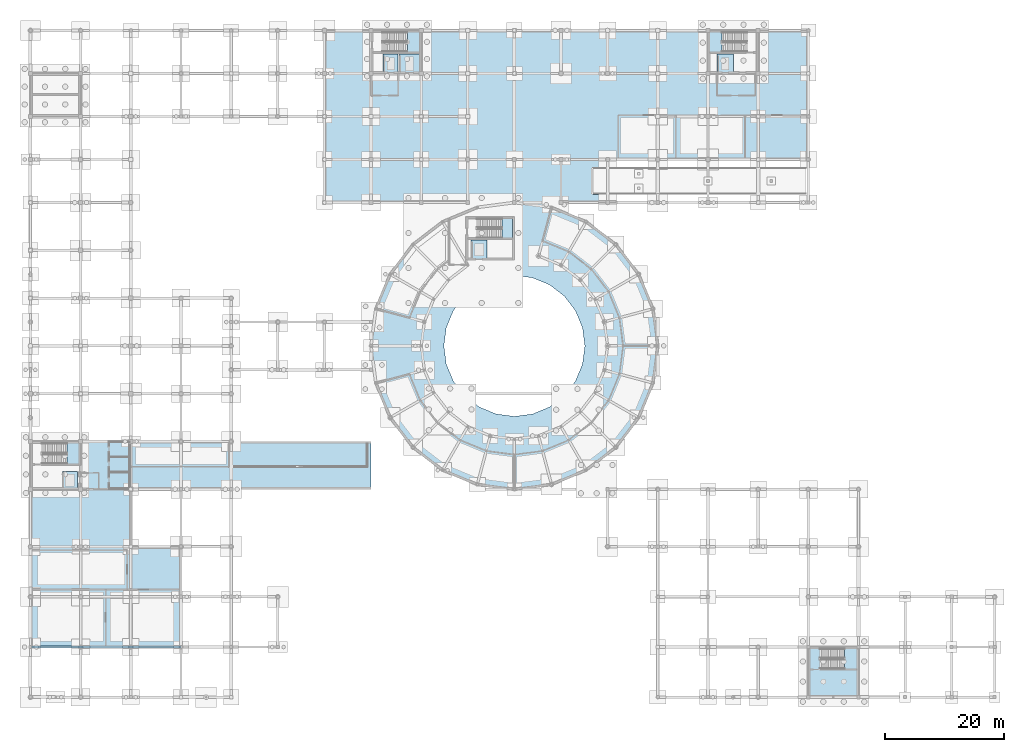
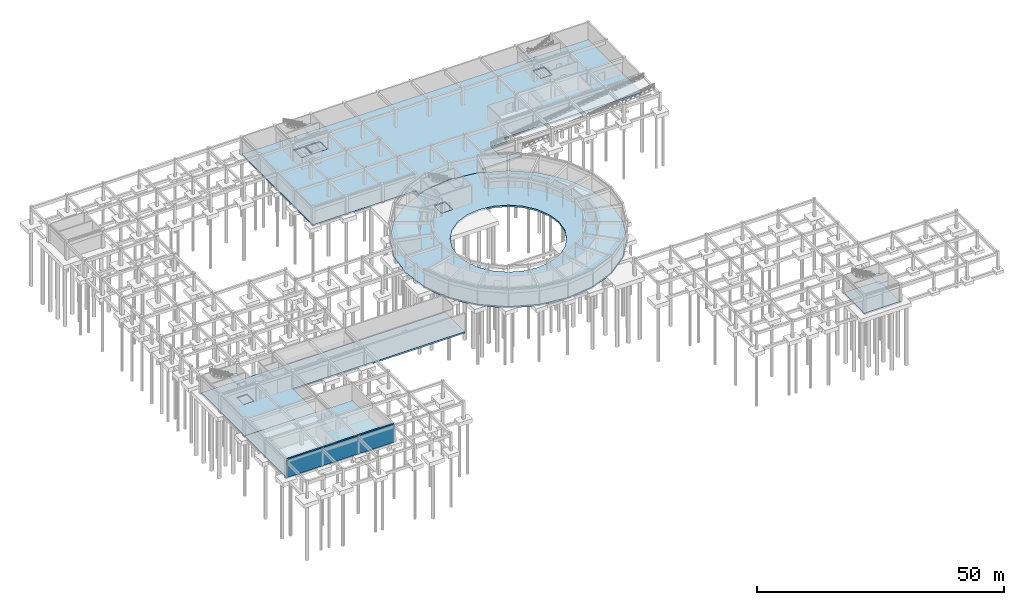
# One storey, part 28 of 43: 15 slabs, 1 wall, 5 elements without a shape of their own.
"""IFC4 building model written with IfcOpenShell, lengths in metres."""

from ifc_helpers import new_model, si_unit, derived_unit, direction, frame, frame_2d, origin, place, context, subcontext, project, spatial, polyline, rectangle, outline, extrude, material, layer, layer_set, type_object, element, aggregate, save


model = new_model("IFC4")

# Units and contexts
model_context = context("Model", 3, precision=1e-05, world=origin(), true_north=direction((0.0, 1.0)))
body_context = subcontext(model_context, "Body", "Model", "MODEL_VIEW")
ifc_project = project(units=[si_unit("LENGTHUNIT", "METRE"), si_unit("AREAUNIT", "SQUARE_METRE"), si_unit("VOLUMEUNIT", "CUBIC_METRE"), si_unit("PLANEANGLEUNIT", "RADIAN"), si_unit("MASSUNIT", "GRAM", prefix="KILO"), derived_unit("THERMALTRANSMITTANCEUNIT", [(si_unit("POWERUNIT", "WATT"), 1), (si_unit("AREAUNIT", "SQUARE_METRE"), -1), (si_unit("THERMODYNAMICTEMPERATUREUNIT", "KELVIN"), -1)])], contexts=[model_context])

# Site, building, storey
site_placement = place(None, origin())
site = spatial("IfcSite", under=ifc_project, at=site_placement, CompositionType="ELEMENT")
building_placement = place(site_placement, origin())
building = spatial("IfcBuilding", under=site, at=building_placement, Name="Yasenodar Specialist Clinic", CompositionType="ELEMENT")
storey_placement = place(building_placement, frame((0.0, 0.0, -4.5)))
storey = spatial("IfcBuildingStorey", under=building, at=storey_placement, Name="B1", CompositionType="ELEMENT", Elevation=-4.5)

# Slabs
ifc_material_1 = material(Name="Concrete C30/37", Category="concrete")
ifc_layer_1 = layer(ifc_material_1, 0.300048828125)
ifc_layer_set_1 = layer_set([ifc_layer_1], Name="Concrete C30/37")
slab_type_1 = type_object("IfcSlabType", Name="SLB-BASE-300", PredefinedType="BASESLAB", material=ifc_layer_set_1)
slab_1_placement = place(storey_placement, frame((0.0, 0.0, -0.47998046875)))
element("IfcSlab", 1, at=slab_1_placement, inside=storey, type_object=slab_type_1, Name="LF-01 Lift Pit Base Slab", PredefinedType="BASESLAB", context=body_context, shape_type="SweptSolid", body=[
    extrude(outline(polyline([(5.35009765625, 34.89990234375), (7.85009765625, 34.89990234375), (7.85009765625, 37.800048828125), (5.35009765625, 37.800048828125), (5.35009765625, 34.89990234375)])), origin(), (0.0, 0.0, 1.0), 0.260009765625),
])
slab_2_placement = place(storey_placement, frame((0.0, 0.0, -0.47998046875)))
element("IfcSlab", 2, at=slab_2_placement, inside=storey, type_object=slab_type_1, Name="LF-06 Lift Pit Base Slab", PredefinedType="BASESLAB", context=body_context, shape_type="SweptSolid", body=[
    extrude(outline(polyline([(73.75, 73.300048828125), (76.449951171875, 73.300048828125), (76.449951171875, 76.5), (73.75, 76.5), (73.75, 73.300048828125)])), origin(), (0.0, 0.0, 1.0), 0.260009765625),
])
slab_3_placement = place(storey_placement, frame((0.0, 0.0, -0.47998046875)))
element("IfcSlab", 3, at=slab_3_placement, inside=storey, type_object=slab_type_1, Name="LF-02 Lift Pit Base Slab", PredefinedType="BASESLAB", context=body_context, shape_type="SweptSolid", body=[
    extrude(outline(polyline([(59.050048828125, 104.449951171875), (61.550048828125, 104.449951171875), (61.550048828125, 107.64990234375), (59.050048828125, 107.64990234375), (59.050048828125, 104.449951171875)])), origin(), (0.0, 0.0, 1.0), 0.260009765625),
])
slab_4_placement = place(storey_placement, frame((0.0, 0.0, -0.47998046875)))
element("IfcSlab", 4, at=slab_4_placement, inside=storey, type_object=slab_type_1, Name="LF-04 Lift Pit Base Slab", PredefinedType="BASESLAB", context=body_context, shape_type="SweptSolid", body=[
    extrude(outline(polyline([(61.75, 104.449951171875), (65.14990234375, 104.449951171875), (65.14990234375, 107.64990234375), (61.75, 107.64990234375), (61.75, 104.449951171875)])), origin(), (0.0, 0.0, 1.0), 0.260009765625),
])
slab_5_placement = place(storey_placement, frame((0.0, 0.0, -0.47998046875)))
element("IfcSlab", 5, at=slab_5_placement, inside=storey, type_object=slab_type_1, Name="LF-08 Lift Pit Base Slab", PredefinedType="BASESLAB", context=body_context, shape_type="SweptSolid", body=[
    extrude(outline(polyline([(114.949951171875, 104.449951171875), (117.64990234375, 104.449951171875), (117.64990234375, 107.64990234375), (114.949951171875, 107.64990234375), (114.949951171875, 104.449951171875)])), origin(), (0.0, 0.0, 1.0), 0.260009765625),
])
ifc_layer_2 = layer(ifc_material_1, 0.39990234375)
ifc_layer_set_2 = layer_set([ifc_layer_2], Name="Concrete C30/37")
slab_type_2 = type_object("IfcSlabType", Name="SLB-BASE-400", PredefinedType="BASESLAB", material=ifc_layer_set_2)
slab_6_placement = place(storey_placement, frame((0.0, 0.0, -0.39990234375)))
element("IfcSlab", 6, at=slab_6_placement, inside=storey, type_object=slab_type_2, Name="B1 V1 structural slab", PredefinedType="BASESLAB", context=body_context, shape_type="SweptSolid", body=[
    extrude(outline(polyline([(105.0, 58.800048828125), (104.18212890625, 65.01171875), (101.78466796875, 70.800048828125), (97.970703125, 75.7705078125), (93.0, 79.584716796875), (87.211669921875, 81.982177734375), (81.0, 82.800048828125), (74.788330078125, 81.982177734375), (69.0, 79.584716796875), (64.029296875, 75.7705078125), (60.21533203125, 70.800048828125), (57.81787109375, 65.01171875), (57.0, 58.800048828125), (57.81787109375, 52.58837890625), (60.21533203125, 46.800048828125), (64.029296875, 41.829345703125), (69.0, 38.015380859375), (74.788330078125, 35.617919921875), (81.0, 34.800048828125), (87.211669921875, 35.617919921875), (93.0, 38.015380859375), (97.970703125, 41.829345703125), (101.78466796875, 46.800048828125), (104.18212890625, 52.58837890625), (105.0, 58.800048828125)]), holes=[polyline([(73.739990234375, 73.2900390625), (76.4599609375, 73.2900390625), (76.4599609375, 76.510009765625), (73.739990234375, 76.510009765625), (73.739990234375, 73.2900390625)]), polyline([(92.800048828125, 58.800048828125), (92.39794921875, 61.85400390625), (91.218994140625, 64.699951171875), (89.343994140625, 67.143798828125), (86.89990234375, 69.01904296875), (84.05419921875, 70.197998046875), (81.0, 70.60009765625), (77.94580078125, 70.197998046875), (75.10009765625, 69.01904296875), (72.656005859375, 67.143798828125), (70.781005859375, 64.699951171875), (69.60205078125, 61.85400390625), (69.199951171875, 58.800048828125), (69.60205078125, 55.745849609375), (70.781005859375, 52.89990234375), (72.656005859375, 50.4560546875), (75.10009765625, 48.580810546875), (77.94580078125, 47.402099609375), (81.0, 47.0), (84.05419921875, 47.402099609375), (86.89990234375, 48.580810546875), (89.343994140625, 50.4560546875), (91.218994140625, 52.89990234375), (92.39794921875, 55.745849609375), (92.800048828125, 58.800048828125)])]), origin(), (0.0, 0.0, 1.0), 0.39990234375),
])
slab_7_placement = place(storey_placement, frame((0.0, 0.0, -0.39990234375)))
element("IfcSlab", 7, at=slab_7_placement, inside=storey, type_object=slab_type_2, Name="B1 V2 structural slab", PredefinedType="BASESLAB", context=body_context, shape_type="SweptSolid", body=[
    extrude(outline(polyline([(0.0, 25.199951171875), (25.199951171875, 25.199951171875), (25.199951171875, 8.39990234375), (0.0, 8.39990234375), (0.0, 25.199951171875)])), origin(), (0.0, 0.0, 1.0), 0.39990234375),
])
slab_8_placement = place(storey_placement, frame((0.0, 0.0, -0.39990234375)))
element("IfcSlab", 8, at=slab_8_placement, inside=storey, type_object=slab_type_2, Name="B1 V3 structural slab", PredefinedType="BASESLAB", context=body_context, shape_type="SweptSolid", body=[
    extrude(outline(polyline([(130.199951171875, 8.39990234375), (138.60009765625, 8.39990234375), (138.60009765625, 0.0), (130.199951171875, 0.0), (130.199951171875, 8.39990234375)])), origin(), (0.0, 0.0, 1.0), 0.39990234375),
])
slab_9_placement = place(storey_placement, frame((0.0, 0.0, -0.39990234375)))
element("IfcSlab", 9, at=slab_9_placement, inside=storey, type_object=slab_type_2, Name="B1 V4 structural slab", PredefinedType="BASESLAB", context=body_context, shape_type="SweptSolid", body=[
    extrude(outline(polyline([(0.0, 42.800048828125), (57.0, 42.800048828125), (57.0, 34.800048828125), (16.800048828125, 34.800048828125), (16.800048828125, 25.215087890625), (0.0, 25.215087890625), (0.0, 42.800048828125)]), holes=[polyline([(7.860107421875, 34.889892578125), (7.860107421875, 37.81005859375), (5.340087890625, 37.81005859375), (5.340087890625, 34.889892578125), (7.860107421875, 34.889892578125)])]), origin(), (0.0, 0.0, 1.0), 0.39990234375),
])
slab_10_placement = place(storey_placement, frame((0.0, 0.0, -0.39990234375)))
element("IfcSlab", 10, at=slab_10_placement, inside=storey, type_object=slab_type_2, Name="B1 V5 structural slab", PredefinedType="BASESLAB", context=body_context, shape_type="SweptSolid", body=[
    extrude(outline(polyline([(73.199951171875, 82.800048828125), (49.199951171875, 82.800048828125), (49.199951171875, 111.60009765625), (130.199951171875, 111.60009765625), (130.199951171875, 90.0), (98.0, 90.0), (98.0, 88.6201171875), (94.179931640625, 88.6201171875), (94.179931640625, 84.179931640625), (98.0, 84.179931640625), (98.0, 82.800048828125), (88.800048828125, 82.800048828125), (88.800048828125, 81.340576171875), (87.215576171875, 81.996826171875), (81.0, 82.815185546875), (74.784423828125, 81.996826171875), (73.199951171875, 81.340576171875), (73.199951171875, 82.800048828125)]), holes=[polyline([(61.56005859375, 104.43994140625), (61.56005859375, 107.659912109375), (59.0400390625, 107.659912109375), (59.0400390625, 104.43994140625), (61.56005859375, 104.43994140625)]), polyline([(65.159912109375, 104.43994140625), (65.159912109375, 107.659912109375), (61.739990234375, 107.659912109375), (61.739990234375, 104.43994140625), (65.159912109375, 104.43994140625)]), polyline([(117.659912109375, 104.43994140625), (117.659912109375, 107.659912109375), (114.93994140625, 107.659912109375), (114.93994140625, 104.43994140625), (117.659912109375, 104.43994140625)])]), origin(), (0.0, 0.0, 1.0), 0.39990234375),
])

# Stair, slab
stair_type_1 = type_object("IfcStairType", Name="ST-DOG-C1-30", PredefinedType="HALF_TURN_STAIR", material=ifc_material_1)
stair_1_placement = place(storey_placement, origin())
stair_1 = element("IfcStair", 11, at=stair_1_placement, inside=storey, type_object=stair_type_1, Name="B1 Core C1 Exit Stair ST-01", PredefinedType="HALF_TURN_STAIR")
ifc_layer_3 = layer(ifc_material_1, 0.199951171875)
ifc_layer_set_3 = layer_set([ifc_layer_3], Name="Concrete C30/37")
slab_type_3 = type_object("IfcSlabType", Name="SLB-LND-200", PredefinedType="LANDING", material=ifc_layer_set_3)
slab_11_placement = place(storey_placement, frame((0.0, 0.0, 2.050048828125)))
slab_11 = element("IfcSlab", 12, at=slab_11_placement, type_object=slab_type_3, Name="ST-01 landing 1", PredefinedType="LANDING", context=body_context, shape_type="SweptSolid", body=[
    extrude(outline(polyline([(6.1298828125, 39.06005859375), (8.1201171875, 39.06005859375), (8.1201171875, 42.510009765625), (6.1298828125, 42.510009765625), (6.1298828125, 39.06005859375)])), origin(), (0.0, 0.0, 1.0), 0.199951171875),
])
aggregate(stair_1, [slab_11])

stair_type_2 = type_object("IfcStairType", Name="ST-DOG-C2-30", PredefinedType="HALF_TURN_STAIR", material=ifc_material_1)
stair_2_placement = place(storey_placement, origin())
stair_2 = element("IfcStair", 13, at=stair_2_placement, inside=storey, type_object=stair_type_2, Name="B1 Core C3 Exit Stair ST-03", PredefinedType="HALF_TURN_STAIR")
slab_12_placement = place(storey_placement, frame((0.0, 0.0, 2.050048828125)))
slab_12 = element("IfcSlab", 14, at=slab_12_placement, type_object=slab_type_3, Name="ST-03 landing 1", PredefinedType="LANDING", context=body_context, shape_type="SweptSolid", body=[
    extrude(outline(polyline([(78.93994140625, 76.860107421875), (80.719970703125, 76.860107421875), (80.719970703125, 80.110107421875), (78.93994140625, 80.110107421875), (78.93994140625, 76.860107421875)])), origin(), (0.0, 0.0, 1.0), 0.199951171875),
])
aggregate(stair_2, [slab_12])

stair_type_3 = type_object("IfcStairType", Name="ST-DOG-C4-30", PredefinedType="HALF_TURN_STAIR", material=ifc_material_1)
stair_3_placement = place(storey_placement, origin())
stair_3 = element("IfcStair", 15, at=stair_3_placement, inside=storey, type_object=stair_type_3, Name="B1 Core C4 Exit Stair ST-04", PredefinedType="HALF_TURN_STAIR")
slab_13_placement = place(storey_placement, frame((0.0, 0.0, 2.050048828125)))
slab_13 = element("IfcSlab", 16, at=slab_13_placement, type_object=slab_type_3, Name="ST-04 landing 1", PredefinedType="LANDING", context=body_context, shape_type="SweptSolid", body=[
    extrude(outline(polyline([(63.070068359375, 108.010009765625), (65.1201171875, 108.010009765625), (65.1201171875, 111.31005859375), (63.070068359375, 111.31005859375), (63.070068359375, 108.010009765625)])), origin(), (0.0, 0.0, 1.0), 0.199951171875),
])
aggregate(stair_3, [slab_13])

stair_4_placement = place(storey_placement, origin())
stair_4 = element("IfcStair", 17, at=stair_4_placement, inside=storey, type_object=stair_type_3, Name="B1 Core C5 Exit Stair ST-05", PredefinedType="HALF_TURN_STAIR")
slab_14_placement = place(storey_placement, frame((0.0, 0.0, 2.050048828125)))
slab_14 = element("IfcSlab", 18, at=slab_14_placement, type_object=slab_type_3, Name="ST-05 landing 1", PredefinedType="LANDING", context=body_context, shape_type="SweptSolid", body=[
    extrude(outline(polyline([(115.72998046875, 111.31005859375), (113.679931640625, 111.31005859375), (113.679931640625, 108.010009765625), (115.72998046875, 108.010009765625), (115.72998046875, 111.31005859375)])), origin(), (0.0, 0.0, 1.0), 0.199951171875),
])
aggregate(stair_4, [slab_14])

stair_5_placement = place(storey_placement, origin())
stair_5 = element("IfcStair", 19, at=stair_5_placement, inside=storey, type_object=stair_type_3, Name="B1 Core C6 Exit Stair ST-06", PredefinedType="HALF_TURN_STAIR")
slab_15_placement = place(storey_placement, frame((0.0, 0.0, 2.050048828125)))
slab_15 = element("IfcSlab", 20, at=slab_15_placement, type_object=slab_type_3, Name="ST-06 landing 1", PredefinedType="LANDING", context=body_context, shape_type="SweptSolid", body=[
    extrude(outline(polyline([(136.2900390625, 4.760009765625), (138.320068359375, 4.760009765625), (138.320068359375, 8.1201171875), (136.2900390625, 8.1201171875), (136.2900390625, 4.760009765625)])), origin(), (0.0, 0.0, 1.0), 0.199951171875),
])
aggregate(stair_5, [slab_15])

# Wall
ifc_material_2 = material(Name="Concrete C35/45", Category="concrete")
ifc_layer_4 = layer(ifc_material_2, 0.360107421875)
ifc_layer_set_4 = layer_set([ifc_layer_4], Name="Concrete C35/45")
wall_type = type_object("IfcWallType", Name="WL-RET-360", PredefinedType="USERDEFINED", material=ifc_layer_set_4)
wall_placement = place(storey_placement, frame((0.179931640625, 8.39990234375, 0.0), z_axis=(0.0, 0.0, 1.0), x_axis=(1.0, 0.0, 0.0)))
element("IfcWall", 21, at=wall_placement, inside=storey, type_object=wall_type, Name="B1 Retaining Wall 01", ObjectType="RETAININGWALL", PredefinedType="USERDEFINED", context=body_context, shape_type="SweptSolid", body=[
    extrude(rectangle(XDim=25.02001953125, YDim=0.360107421875, at=frame_2d((12.510009765625, 0.0))), origin(), (0.0, 0.0, 1.0), 4.5),
])

save(model, "model.ifc")
